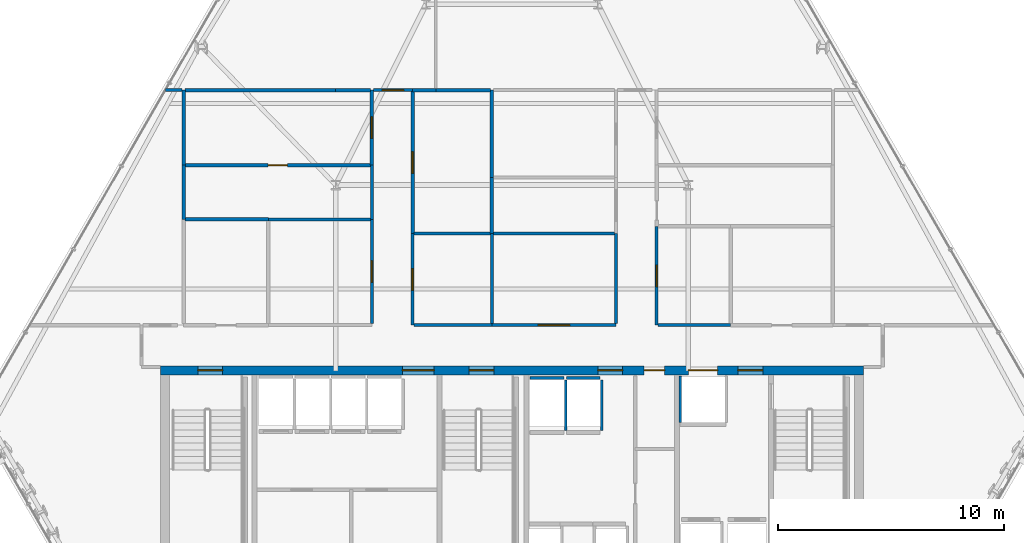
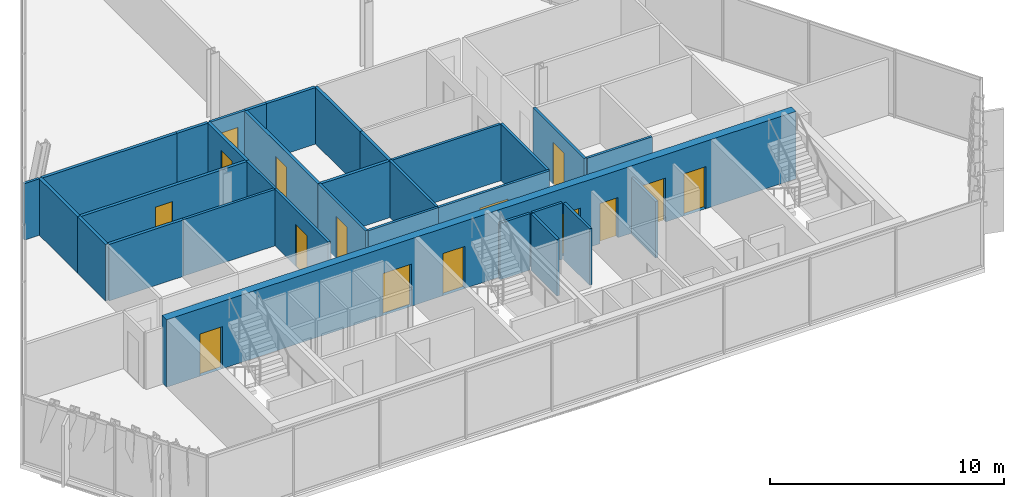
# One storey, part 28 of 34: 32 walls, 15 doors, 15 openings.
"""IFC4 building model written with IfcOpenShell, lengths in metres."""

import ifcopenshell
import ifcopenshell.guid

model = None  # the IFC model being written
_history = None  # IfcOwnerHistory: only IFC2X3 demands one
_inside = {}  # id of a spatial element -> (the spatial element, [elements in it])
_under = {}  # id of a project, library or spatial element -> (it, [spatial elements below it])
_declared = {}  # id of a project -> (the project, [libraries it declares])
_typed = {}  # id of a type object -> (the type object, [elements of that type])
_made_of = {}  # id of a material, layer set ... -> (it, [elements and type objects made of it])


def new_model(schema):
    """Start an empty IFC model of exactly this schema.

    Asked for "IFC4X3", IfcOpenShell would pick the latest addendum, in which some entities
    have other attributes; the version numbers below select the first issue.
    IFC2X3 requires an IfcOwnerHistory on every rooted entity: one is made here for all.
    """
    global model, _history
    if schema == "IFC4X3":
        model = ifcopenshell.file(schema_version=(4, 3, 0, 0))
    else:
        model = ifcopenshell.file(schema=schema)
    _inside.clear()
    _under.clear()
    _declared.clear()
    _typed.clear()
    _made_of.clear()
    _history = None
    if model.schema == "IFC2X3":
        org = make("IfcOrganization", Name="unknown")
        user = make(
            "IfcPersonAndOrganization",
            ThePerson=make("IfcPerson", FamilyName="unknown"),
            TheOrganization=org,
        )
        app = make(
            "IfcApplication",
            ApplicationDeveloper=org,
            Version="unknown",
            ApplicationFullName="unknown",
            ApplicationIdentifier="unknown",
        )
        _history = make(
            "IfcOwnerHistory",
            OwningUser=user,
            OwningApplication=app,
            ChangeAction="ADDED",
            CreationDate=0,
        )
    return model


def make(cls, **values):
    """One entity of the class cls with the attributes given. An attribute that is None is left unset."""
    return model.create_entity(
        cls, **{name: value for name, value in values.items() if value is not None}
    )


def rooted(cls, **values):
    """An entity with a GlobalId (a new one), such as an element, a storey or a relation."""
    return make(cls, GlobalId=ifcopenshell.guid.new(), OwnerHistory=_history, **values)


def si_unit(unit_type, name, prefix=None):
    """IfcSIUnit, for example si_unit("LENGTHUNIT", "METRE", prefix="MILLI")."""
    return make("IfcSIUnit", UnitType=unit_type, Prefix=prefix, Name=name)


def assignment(units):
    """IfcUnitAssignment: the units of a project."""
    return None if units is None else make("IfcUnitAssignment", Units=units)


def point(xyz):
    """IfcCartesianPoint."""
    return None if xyz is None else make("IfcCartesianPoint", Coordinates=xyz)


def direction(xyz):
    """IfcDirection."""
    return None if xyz is None else make("IfcDirection", DirectionRatios=xyz)


def frame(location, z_axis=None, x_axis=None):
    """IfcAxis2Placement3D, a coordinate frame: its origin and axes. An axis left out is left unset."""
    return make(
        "IfcAxis2Placement3D",
        Location=point(location),
        Axis=direction(z_axis),
        RefDirection=direction(x_axis),
    )


def frame_2d(location, x_axis=None):
    """IfcAxis2Placement2D, a coordinate frame in the plane: its origin and x axis."""
    return make(
        "IfcAxis2Placement2D", Location=point(location), RefDirection=direction(x_axis)
    )


def origin():
    """The frame at (0, 0, 0) with its axes left unset."""
    return frame((0.0, 0.0, 0.0))


def place(relative_to, where):
    """IfcLocalPlacement: puts the frame where relative to a parent placement (None: the world)."""
    return make(
        "IfcLocalPlacement", PlacementRelTo=relative_to, RelativePlacement=where
    )


def context(
    kind, dimensions, precision=None, world=None, true_north=None, identifier=None
):
    """IfcGeometricRepresentationContext, for example the 3D "Model" context."""
    return make(
        "IfcGeometricRepresentationContext",
        ContextIdentifier=identifier,
        ContextType=kind,
        CoordinateSpaceDimension=dimensions,
        Precision=precision,
        WorldCoordinateSystem=world,
        TrueNorth=true_north,
    )


def subcontext(parent, identifier, kind, view, scale=None):
    """IfcGeometricRepresentationSubContext, for example "Body" below "Model"."""
    return make(
        "IfcGeometricRepresentationSubContext",
        ContextIdentifier=identifier,
        ContextType=kind,
        ParentContext=parent,
        TargetScale=scale,
        TargetView=view,
    )


def project(units=None, contexts=None):
    """IfcProject with its units and contexts."""
    return rooted(
        "IfcProject",
        Name="project",
        RepresentationContexts=contexts,
        UnitsInContext=assignment(units),
    )


def spatial(cls, under=None, at=None, **own):
    """A site, building, storey or space (cls), placed at a placement, below another one or the project."""
    s = rooted(cls, ObjectPlacement=at, **own)
    if under is not None:
        _under.setdefault(under.id(), (under, []))[1].append(s)
    return s


def profile(cls, at=None, kind="AREA", **sizes):
    """A parametric profile (cls). Its sizes go by their IFC names, for example OverallWidth=200.0."""
    return make(cls, ProfileType=kind, Position=at, **sizes)


def rectangle(**sizes):
    """IfcRectangleProfileDef."""
    return profile("IfcRectangleProfileDef", **sizes)


def extrude(swept, where, along, depth):
    """IfcExtrudedAreaSolid: the profile swept, set in the frame where, extruded along a direction by depth."""
    return make(
        "IfcExtrudedAreaSolid",
        SweptArea=swept,
        Position=where,
        ExtrudedDirection=direction(along),
        Depth=depth,
    )


def shape(context_of_items, identifier, shape_type, items):
    """IfcShapeRepresentation: the items that make up one representation, for example the "Body"."""
    return make(
        "IfcShapeRepresentation",
        ContextOfItems=context_of_items,
        RepresentationIdentifier=identifier,
        RepresentationType=shape_type,
        Items=items,
    )


def material(Name=None, Category=None):
    """IfcMaterial."""
    return make("IfcMaterial", Name=Name, Category=Category)


def layer(
    of_material, thickness, ventilated=None, Name=None, Category=None, Priority=None
):
    """IfcMaterialLayer: one layer of a wall or slab, of a material (None: an air gap)."""
    return make(
        "IfcMaterialLayer",
        Material=of_material,
        LayerThickness=thickness,
        IsVentilated=ventilated,
        Name=Name,
        Category=Category,
        Priority=Priority,
    )


def layer_set(layers, Name=None):
    """IfcMaterialLayerSet."""
    return make("IfcMaterialLayerSet", MaterialLayers=layers, LayerSetName=Name)


def made_of(thing, what):
    """Note that an element or type object is made of a material, layer set ...; save() writes the relation."""
    if what is not None:
        _made_of.setdefault(what.id(), (what, []))[1].append(thing)
    return thing


def type_object(cls, material=None, **own):
    """A type object (cls), such as IfcWallType, which elements share."""
    return made_of(rooted(cls, **own), material)


def element(
    cls,
    number,
    at=None,
    inside=None,
    cuts=None,
    type_object=None,
    material=None,
    context=None,
    identifier="Body",
    shape_type=None,
    held_by="IfcProductDefinitionShape",
    body=None,
    shapes=None,
    **own,
):
    """One element of the class cls, such as IfcWall. Its Tag is "e" and its number.

    at: its placement. inside: the storey or other place that contains it. cuts: it is an
    opening in that element (IfcRelVoidsElement). A single representation is given by context,
    identifier, shape_type and body (its items); several are given by shapes. held_by: the class
    of the entity that holds the representations. save() writes the other relations.
    """
    e = rooted(cls, Tag="e%d" % number, ObjectPlacement=at, **own)
    if body is not None:
        shapes = [shape(context, identifier, shape_type, body)]
    if shapes is not None:
        e.Representation = make(held_by, Representations=shapes)
    if inside is not None:
        _inside.setdefault(inside.id(), (inside, []))[1].append(e)
    if cuts is not None:
        rooted(
            "IfcRelVoidsElement", RelatingBuildingElement=cuts, RelatedOpeningElement=e
        )
    if type_object is not None:
        _typed.setdefault(type_object.id(), (type_object, []))[1].append(e)
    return made_of(e, material)


def fill(opening, filler):
    """IfcRelFillsElement: the door or window that sits in an opening."""
    return rooted(
        "IfcRelFillsElement",
        RelatingOpeningElement=opening,
        RelatedBuildingElement=filler,
    )


def aggregate(whole, parts):
    """IfcRelAggregates: a whole, such as a stair, and the parts it consists of."""
    return rooted("IfcRelAggregates", RelatingObject=whole, RelatedObjects=parts)


def save(model, path):
    """Write the relations noted so far, then the file.

    IfcRelAggregates (storeys below a building ...), IfcRelContainedInSpatialStructure (elements
    in a storey), IfcRelDefinesByType, IfcRelAssociatesMaterial and IfcRelDeclares: one each for
    every whole, place, type object, material and project.
    """
    for whole, parts in _under.values():
        aggregate(whole, parts)
    for where, things in _inside.values():
        rooted(
            "IfcRelContainedInSpatialStructure",
            RelatedElements=things,
            RelatingStructure=where,
        )
    for kind, things in _typed.values():
        rooted("IfcRelDefinesByType", RelatedObjects=things, RelatingType=kind)
    for what, things in _made_of.values():
        rooted("IfcRelAssociatesMaterial", RelatedObjects=things, RelatingMaterial=what)
    for by, libraries in _declared.values():
        rooted("IfcRelDeclares", RelatingContext=by, RelatedDefinitions=libraries)
    model.write(path)


model = new_model("IFC4")

# Units and contexts
model_context = context("Model", 3, precision=1e-05, world=origin(), true_north=direction((0.0, 1.0)))
body_context = subcontext(model_context, "Body", "Model", "MODEL_VIEW")
ifc_project = project(units=[si_unit("LENGTHUNIT", "METRE"), si_unit("AREAUNIT", "SQUARE_METRE"), si_unit("VOLUMEUNIT", "CUBIC_METRE"), si_unit("PLANEANGLEUNIT", "RADIAN"), si_unit("MASSUNIT", "GRAM", prefix="KILO")], contexts=[model_context])

# Site, building, storey
site_placement = place(None, origin())
site = spatial("IfcSite", under=ifc_project, at=site_placement, CompositionType="ELEMENT")
building_placement = place(site_placement, origin())
building = spatial("IfcBuilding", under=site, at=building_placement, Name="Ndaravel Arena Tower", CompositionType="ELEMENT")
storey_placement = place(building_placement, frame((0.0, 0.0, 199.199951171875)))
storey = spatial("IfcBuildingStorey", under=building, at=storey_placement, Name="L48", CompositionType="ELEMENT", Elevation=199.199951171875)

# Wall, openings, doors
ifc_material_1 = material(Name="Concrete C50/60", Category="concrete")
ifc_layer_1 = layer(ifc_material_1, 0.39990234375)
ifc_layer_set_1 = layer_set([ifc_layer_1], Name="Concrete C50/60")
wall_type_1 = type_object("IfcWallType", Name="WALL-CORE-400", PredefinedType="SOLIDWALL", material=ifc_layer_set_1)
wall_1_placement = place(storey_placement, frame((26.449951171875, 15.0, 0.0), z_axis=(0.0, 0.0, 1.0), x_axis=(1.0, 0.0, 0.0)))
wall_1 = element("IfcWall", 1, at=wall_1_placement, inside=storey, type_object=wall_type_1, Name="L48 Core North Shear Wall", PredefinedType="SOLIDWALL", context=body_context, shape_type="SweptSolid", body=[
    extrude(rectangle(XDim=31.10009765625, YDim=0.39990234375, at=frame_2d((15.550048828125, 0.0))), origin(), (0.0, 0.0, 1.0), 3.52001953125),
])
opening_1_placement = place(wall_1_placement, frame((1.64990234375, 0.0, 0.0)))
opening_1 = element("IfcOpeningElement", 2, at=opening_1_placement, cuts=wall_1, Name="Opening FD-01", PredefinedType="OPENING", context=body_context, shape_type="SweptSolid", body=[
    extrude(rectangle(XDim=1.10009765625, YDim=2.199951171875, at=frame_2d((0.550048828125, 1.10009765625))), frame((0.0, 0.199951171875, 0.0), z_axis=(0.0, -1.0, 0.0), x_axis=(1.0, 0.0, 0.0)), (0.0, 0.0, 1.0), 0.39990234375),
])
opening_2_placement = place(wall_1_placement, frame((13.64990234375, 0.0, 0.0)))
opening_2 = element("IfcOpeningElement", 3, at=opening_2_placement, cuts=wall_1, Name="Opening FD-01", PredefinedType="OPENING", context=body_context, shape_type="SweptSolid", body=[
    extrude(rectangle(XDim=1.10009765625, YDim=2.199951171875, at=frame_2d((0.550048828125, 1.10009765625))), frame((0.0, 0.199951171875, 0.0), z_axis=(0.0, -1.0, 0.0), x_axis=(1.0, 0.0, 0.0)), (0.0, 0.0, 1.0), 0.39990234375),
])
opening_3_placement = place(wall_1_placement, frame((25.550048828125, 0.0, 0.0)))
opening_3 = element("IfcOpeningElement", 4, at=opening_3_placement, cuts=wall_1, Name="Opening FD-01", PredefinedType="OPENING", context=body_context, shape_type="SweptSolid", body=[
    extrude(rectangle(XDim=1.10009765625, YDim=2.199951171875, at=frame_2d((0.550048828125, 1.10009765625))), frame((0.0, 0.199951171875, 0.0), z_axis=(0.0, -1.0, 0.0), x_axis=(1.0, 0.0, 0.0)), (0.0, 0.0, 1.0), 0.39990234375),
])
opening_4_placement = place(wall_1_placement, frame((10.699951171875, 0.0, 0.0)))
opening_4 = element("IfcOpeningElement", 5, at=opening_4_placement, cuts=wall_1, Name="Opening ID-02", PredefinedType="OPENING", context=body_context, shape_type="SweptSolid", body=[
    extrude(rectangle(XDim=1.39990234375, YDim=2.199951171875, at=frame_2d((0.699951171875, 1.10009765625))), frame((0.0, 0.199951171875, 0.0), z_axis=(0.0, -1.0, 0.0), x_axis=(1.0, 0.0, 0.0)), (0.0, 0.0, 1.0), 0.39990234375),
])
opening_5_placement = place(wall_1_placement, frame((19.35009765625, 0.0, 0.0)))
opening_5 = element("IfcOpeningElement", 6, at=opening_5_placement, cuts=wall_1, Name="Opening FD-01", PredefinedType="OPENING", context=body_context, shape_type="SweptSolid", body=[
    extrude(rectangle(XDim=1.10009765625, YDim=2.199951171875, at=frame_2d((0.550048828125, 1.10009765625))), frame((0.0, 0.199951171875, 0.0), z_axis=(0.0, -1.0, 0.0), x_axis=(1.0, 0.0, 0.0)), (0.0, 0.0, 1.0), 0.39990234375),
])
opening_6_placement = place(wall_1_placement, frame((21.39990234375, 0.0, 0.0)))
opening_6 = element("IfcOpeningElement", 7, at=opening_6_placement, cuts=wall_1, Name="Opening RD-01", PredefinedType="OPENING", context=body_context, shape_type="SweptSolid", body=[
    extrude(rectangle(XDim=0.89990234375, YDim=2.10009765625, at=frame_2d((0.449951171875, 1.050048828125))), frame((0.0, 0.199951171875, 0.0), z_axis=(0.0, -1.0, 0.0), x_axis=(1.0, 0.0, 0.0)), (0.0, 0.0, 1.0), 0.39990234375),
])
opening_7_placement = place(wall_1_placement, frame((23.35009765625, 0.0, 0.0)))
opening_7 = element("IfcOpeningElement", 8, at=opening_7_placement, cuts=wall_1, Name="Opening LD-02", PredefinedType="OPENING", context=body_context, shape_type="SweptSolid", body=[
    extrude(rectangle(XDim=1.300048828125, YDim=2.300048828125, at=frame_2d((0.64990234375, 1.14990234375))), frame((0.0, 0.199951171875, 0.0), z_axis=(0.0, -1.0, 0.0), x_axis=(1.0, 0.0, 0.0)), (0.0, 0.0, 1.0), 0.39990234375),
])
ifc_material_2 = material(Name="Steel S355", Category="steel")
door_type_1 = type_object("IfcDoorType", Name="DT-01-STAIR-1100", OperationType="SINGLE_SWING_LEFT", PredefinedType="DOOR", material=ifc_material_2)
door_1_placement = place(opening_1_placement, origin())
door_1 = element("IfcDoor", 9, at=door_1_placement, inside=storey, type_object=door_type_1, Name="L48 Exit Stair ST-1 Door", OperationType="SINGLE_SWING_LEFT", OverallHeight=2.199951171875, OverallWidth=1.10009765625, PredefinedType="DOOR", context=body_context, shape_type="SweptSolid", body=[
    extrude(rectangle(XDim=1.10009765625, YDim=2.199951171875, at=frame_2d((0.550048828125, 1.10009765625))), frame((0.0, 0.02490234375, 0.0), z_axis=(0.0, -1.0, 0.0), x_axis=(1.0, 0.0, 0.0)), (0.0, 0.0, 1.0), 0.050048828125),
])
fill(opening_1, door_1)
door_2_placement = place(opening_2_placement, origin())
door_2 = element("IfcDoor", 10, at=door_2_placement, inside=storey, type_object=door_type_1, Name="L48 Exit Stair ST-2 Door", OperationType="SINGLE_SWING_RIGHT", OverallHeight=2.199951171875, OverallWidth=1.10009765625, PredefinedType="DOOR", context=body_context, shape_type="SweptSolid", body=[
    extrude(rectangle(XDim=1.10009765625, YDim=2.199951171875, at=frame_2d((0.550048828125, 1.10009765625))), frame((0.0, 0.02490234375, 0.0), z_axis=(0.0, -1.0, 0.0), x_axis=(1.0, 0.0, 0.0)), (0.0, 0.0, 1.0), 0.050048828125),
])
fill(opening_2, door_2)
door_3_placement = place(opening_3_placement, origin())
door_3 = element("IfcDoor", 11, at=door_3_placement, inside=storey, type_object=door_type_1, Name="L48 Firefighting Lift Lobby Door", OperationType="SINGLE_SWING_RIGHT", OverallHeight=2.199951171875, OverallWidth=1.10009765625, PredefinedType="DOOR", context=body_context, shape_type="SweptSolid", body=[
    extrude(rectangle(XDim=1.10009765625, YDim=2.199951171875, at=frame_2d((0.550048828125, 1.10009765625))), frame((0.0, 0.02490234375, 0.0), z_axis=(0.0, -1.0, 0.0), x_axis=(1.0, 0.0, 0.0)), (0.0, 0.0, 1.0), 0.050048828125),
])
fill(opening_3, door_3)
door_4_placement = place(opening_5_placement, origin())
door_4 = element("IfcDoor", 12, at=door_4_placement, inside=storey, type_object=door_type_1, Name="L48 Express Lift Lobby Entry Door", OperationType="SINGLE_SWING_LEFT", OverallHeight=2.199951171875, OverallWidth=1.10009765625, PredefinedType="DOOR", context=body_context, shape_type="SweptSolid", body=[
    extrude(rectangle(XDim=1.10009765625, YDim=2.199951171875, at=frame_2d((0.550048828125, 1.10009765625))), frame((0.0, 0.02490234375, 0.0), z_axis=(0.0, -1.0, 0.0), x_axis=(1.0, 0.0, 0.0)), (0.0, 0.0, 1.0), 0.050048828125),
])
fill(opening_5, door_4)
ifc_material_3 = material(Name="Timber", Category="wood")
door_type_2 = type_object("IfcDoorType", Name="DT-04-SUITE-1400", OperationType="DOUBLE_DOOR_SINGLE_SWING", PredefinedType="DOOR", material=ifc_material_3)
door_5_placement = place(opening_4_placement, origin())
door_5 = element("IfcDoor", 13, at=door_5_placement, inside=storey, type_object=door_type_2, Name="L48 West Lift Lobby Entry Door", OperationType="DOUBLE_DOOR_SINGLE_SWING", OverallHeight=2.199951171875, OverallWidth=1.39990234375, PredefinedType="DOOR", context=body_context, shape_type="SweptSolid", body=[
    extrude(rectangle(XDim=1.39990234375, YDim=2.199951171875, at=frame_2d((0.699951171875, 1.10009765625))), frame((0.0, 0.02490234375, 0.0), z_axis=(0.0, -1.0, 0.0), x_axis=(1.0, 0.0, 0.0)), (0.0, 0.0, 1.0), 0.050048828125),
])
fill(opening_4, door_5)
ifc_material_4 = material(Name="Steel S355", Category="steel")
door_type_3 = type_object("IfcDoorType", Name="DT-07-SVLIFT-1300", OperationType="DOUBLE_DOOR_SLIDING", PredefinedType="DOOR", material=ifc_material_4)
door_6_placement = place(opening_7_placement, origin())
door_6 = element("IfcDoor", 14, at=door_6_placement, inside=storey, type_object=door_type_3, Name="L48 Lift SVL-1 Sliding Landing Door", OperationType="DOUBLE_DOOR_SLIDING", OverallHeight=2.300048828125, OverallWidth=1.300048828125, PredefinedType="DOOR", context=body_context, shape_type="SweptSolid", body=[
    extrude(rectangle(XDim=1.300048828125, YDim=2.300048828125, at=frame_2d((0.64990234375, 1.14990234375))), frame((0.0, 0.02490234375, 0.0), z_axis=(0.0, -1.0, 0.0), x_axis=(1.0, 0.0, 0.0)), (0.0, 0.0, 1.0), 0.050048828125),
])
fill(opening_7, door_6)
ifc_material_5 = material(Name="Steel S355", Category="steel")
door_type_4 = type_object("IfcDoorType", Name="DT-08-RISER-900", OperationType="SINGLE_SWING_LEFT", PredefinedType="DOOR", material=ifc_material_5)
door_7_placement = place(opening_6_placement, origin())
door_7 = element("IfcDoor", 15, at=door_7_placement, inside=storey, type_object=door_type_4, Name="L48 Core Service Riser North Door", OperationType="SINGLE_SWING_LEFT", OverallHeight=2.10009765625, OverallWidth=0.89990234375, PredefinedType="DOOR", context=body_context, shape_type="SweptSolid", body=[
    extrude(rectangle(XDim=0.89990234375, YDim=2.10009765625, at=frame_2d((0.449951171875, 1.050048828125))), frame((0.0, 0.02490234375, 0.0), z_axis=(0.0, -1.0, 0.0), x_axis=(1.0, 0.0, 0.0)), (0.0, 0.0, 1.0), 0.050048828125),
])
fill(opening_6, door_7)

# Wall, opening, door
ifc_material_6 = material(Name="Gypsum", Category="gypsum")
ifc_layer_2 = layer(ifc_material_6, 0.125)
ifc_layer_set_2 = layer_set([ifc_layer_2], Name="Gypsum")
wall_type_2 = type_object("IfcWallType", Name="WALL-PART-125", PredefinedType="PARTITIONING", material=ifc_layer_set_2)
wall_2_placement = place(storey_placement, frame((35.800048828125, 17.06494140625, 0.0), z_axis=(0.0, 0.0, 1.0), x_axis=(0.0, 1.0, 0.0)))
wall_2 = element("IfcWall", 16, at=wall_2_placement, inside=storey, type_object=wall_type_2, Name="L48 Interior Partition 008", PredefinedType="PARTITIONING", context=body_context, shape_type="SweptSolid", body=[
    extrude(rectangle(XDim=4.614990234375, YDim=0.125, at=frame_2d((2.3076171875, 0.0))), origin(), (0.0, 0.0, 1.0), 2.950439453125),
])
opening_8_placement = place(wall_2_placement, frame((1.83251953125, 0.0, 0.0)))
opening_8 = element("IfcOpeningElement", 17, at=opening_8_placement, cuts=wall_2, Name="Opening ID-01", PredefinedType="OPENING", context=body_context, shape_type="SweptSolid", body=[
    extrude(rectangle(XDim=0.949951171875, YDim=2.199951171875, at=frame_2d((0.47509765625, 1.10009765625))), frame((0.0, 0.0625, 0.0), z_axis=(0.0, -1.0, 0.0), x_axis=(1.0, 0.0, 0.0)), (0.0, 0.0, 1.0), 0.125),
])
ifc_material_7 = material(Name="Timber", Category="wood")
door_type_5 = type_object("IfcDoorType", Name="DT-03-OFFICE-950", OperationType="SINGLE_SWING_LEFT", PredefinedType="DOOR", material=ifc_material_7)
door_8_placement = place(opening_8_placement, origin())
door_8 = element("IfcDoor", 18, at=door_8_placement, inside=storey, type_object=door_type_5, Name="L48 Quiet Study Room 3 Door", OperationType="SINGLE_SWING_RIGHT", OverallHeight=2.199951171875, OverallWidth=0.949951171875, PredefinedType="DOOR", context=body_context, shape_type="SweptSolid", body=[
    extrude(rectangle(XDim=0.949951171875, YDim=2.199951171875, at=frame_2d((0.47509765625, 1.10009765625))), frame((0.0, 0.02490234375, 0.0), z_axis=(0.0, -1.0, 0.0), x_axis=(1.0, 0.0, 0.0)), (0.0, 0.0, 1.0), 0.050048828125),
])
fill(opening_8, door_8)

# Wall
wall_3_placement = place(storey_placement, frame((35.800048828125, 21.679931640625, 0.0), z_axis=(0.0, 0.0, 1.0), x_axis=(0.0, 1.0, 0.0)))
element("IfcWall", 19, at=wall_3_placement, inside=storey, type_object=wall_type_2, Name="L48 Interior Partition 009", PredefinedType="PARTITIONING", context=body_context, shape_type="SweptSolid", body=[
    extrude(rectangle(XDim=2.402587890625, YDim=0.125, at=frame_2d((1.201171875, 0.0))), origin(), (0.0, 0.0, 1.0), 2.950439453125),
])

# Wall, opening, door
wall_4_placement = place(storey_placement, frame((35.864990234375, 27.39990234375, 0.0), z_axis=(0.0, 0.0, 1.0), x_axis=(1.0, 0.0, 0.0)))
wall_4 = element("IfcWall", 20, at=wall_4_placement, inside=storey, type_object=wall_type_2, Name="L48 Interior Partition 011", PredefinedType="PARTITIONING", context=body_context, shape_type="SweptSolid", body=[
    extrude(rectangle(XDim=1.735107421875, YDim=0.125, at=frame_2d((0.86767578125, 0.0))), origin(), (0.0, 0.0, 1.0), 2.950439453125),
])
opening_9_placement = place(wall_4_placement, frame((0.392578125, 0.0, 0.0)))
opening_9 = element("IfcOpeningElement", 21, at=opening_9_placement, cuts=wall_4, Name="Opening ID-01", PredefinedType="OPENING", context=body_context, shape_type="SweptSolid", body=[
    extrude(rectangle(XDim=0.949951171875, YDim=2.199951171875, at=frame_2d((0.47509765625, 1.10009765625))), frame((0.0, 0.0625, 0.0), z_axis=(0.0, -1.0, 0.0), x_axis=(1.0, 0.0, 0.0)), (0.0, 0.0, 1.0), 0.125),
])
door_9_placement = place(opening_9_placement, origin())
door_9 = element("IfcDoor", 22, at=door_9_placement, inside=storey, type_object=door_type_5, Name="L48 Barista Galley 7 Door", OperationType="SINGLE_SWING_RIGHT", OverallHeight=2.199951171875, OverallWidth=0.949951171875, PredefinedType="DOOR", context=body_context, shape_type="SweptSolid", body=[
    extrude(rectangle(XDim=0.949951171875, YDim=2.199951171875, at=frame_2d((0.47509765625, 1.10009765625))), frame((0.0, 0.02490234375, 0.0), z_axis=(0.0, -1.0, 0.0), x_axis=(1.0, 0.0, 0.0)), (0.0, 0.0, 1.0), 0.050048828125),
])
fill(opening_9, door_9)

wall_5_placement = place(storey_placement, frame((37.60009765625, 21.055908203125, 0.0), z_axis=(0.0, 0.0, 1.0), x_axis=(0.0, -1.0, 0.0)))
wall_5 = element("IfcWall", 23, at=wall_5_placement, inside=storey, type_object=wall_type_2, Name="L48 Interior Partition 013", PredefinedType="PARTITIONING", context=body_context, shape_type="SweptSolid", body=[
    extrude(rectangle(XDim=4.055908203125, YDim=0.125, at=frame_2d((2.02783203125, 0.0))), origin(), (0.0, 0.0, 1.0), 2.950439453125),
])
opening_10_placement = place(wall_5_placement, frame((1.552978515625, 0.0, 0.0)))
opening_10 = element("IfcOpeningElement", 24, at=opening_10_placement, cuts=wall_5, Name="Opening ID-01", PredefinedType="OPENING", context=body_context, shape_type="SweptSolid", body=[
    extrude(rectangle(XDim=0.949951171875, YDim=2.199951171875, at=frame_2d((0.47509765625, 1.10009765625))), frame((0.0, 0.0625, 0.0), z_axis=(0.0, -1.0, 0.0), x_axis=(1.0, 0.0, 0.0)), (0.0, 0.0, 1.0), 0.125),
])
door_10_placement = place(opening_10_placement, origin())
door_10 = element("IfcDoor", 25, at=door_10_placement, inside=storey, type_object=door_type_5, Name="L48 Design Bookshop Boutique Door", OperationType="SINGLE_SWING_LEFT", OverallHeight=2.199951171875, OverallWidth=0.949951171875, PredefinedType="DOOR", context=body_context, shape_type="SweptSolid", body=[
    extrude(rectangle(XDim=0.949951171875, YDim=2.199951171875, at=frame_2d((0.47509765625, 1.10009765625))), frame((0.0, 0.02490234375, 0.0), z_axis=(0.0, -1.0, 0.0), x_axis=(1.0, 0.0, 0.0)), (0.0, 0.0, 1.0), 0.050048828125),
])
fill(opening_10, door_10)

# Wall
wall_6_placement = place(storey_placement, frame((37.6650390625, 17.0, 0.0), z_axis=(0.0, 0.0, 1.0), x_axis=(1.0, 0.0, 0.0)))
element("IfcWall", 26, at=wall_6_placement, inside=storey, type_object=wall_type_2, Name="L48 Interior Partition 014", PredefinedType="PARTITIONING", context=body_context, shape_type="SweptSolid", body=[
    extrude(rectangle(XDim=3.445068359375, YDim=0.125, at=frame_2d((1.72265625, 0.0))), origin(), (0.0, 0.0, 1.0), 2.950439453125),
])

# Wall, opening, door
wall_7_placement = place(storey_placement, frame((41.110107421875, 17.0, 0.0), z_axis=(0.0, 0.0, 1.0), x_axis=(1.0, 0.0, 0.0)))
wall_7 = element("IfcWall", 27, at=wall_7_placement, inside=storey, type_object=wall_type_2, Name="L48 Interior Partition 015", PredefinedType="PARTITIONING", context=body_context, shape_type="SweptSolid", body=[
    extrude(rectangle(XDim=5.489990234375, YDim=0.125, at=frame_2d((2.7451171875, 0.0))), origin(), (0.0, 0.0, 1.0), 2.950439453125),
])
opening_11_placement = place(wall_7_placement, frame((2.044921875, 0.0, 0.0)))
opening_11 = element("IfcOpeningElement", 28, at=opening_11_placement, cuts=wall_7, Name="Opening ID-02", PredefinedType="OPENING", context=body_context, shape_type="SweptSolid", body=[
    extrude(rectangle(XDim=1.39990234375, YDim=2.199951171875, at=frame_2d((0.699951171875, 1.10009765625))), frame((0.0, 0.0625, 0.0), z_axis=(0.0, -1.0, 0.0), x_axis=(1.0, 0.0, 0.0)), (0.0, 0.0, 1.0), 0.125),
])
door_11_placement = place(opening_11_placement, origin())
door_11 = element("IfcDoor", 29, at=door_11_placement, inside=storey, type_object=door_type_2, Name="L48 Executive Boardroom Door", OperationType="SINGLE_SWING_RIGHT", OverallHeight=2.199951171875, OverallWidth=1.39990234375, PredefinedType="DOOR", context=body_context, shape_type="SweptSolid", body=[
    extrude(rectangle(XDim=1.39990234375, YDim=2.199951171875, at=frame_2d((0.699951171875, 1.10009765625))), frame((0.0, 0.02490234375, 0.0), z_axis=(0.0, -1.0, 0.0), x_axis=(1.0, 0.0, 0.0)), (0.0, 0.0, 1.0), 0.050048828125),
])
fill(opening_11, door_11)

# Wall
wall_8_placement = place(storey_placement, frame((46.60009765625, 17.06494140625, 0.0), z_axis=(0.0, 0.0, 1.0), x_axis=(0.0, 1.0, 0.0)))
element("IfcWall", 30, at=wall_8_placement, inside=storey, type_object=wall_type_2, Name="L48 Interior Partition 016", PredefinedType="PARTITIONING", context=body_context, shape_type="SweptSolid", body=[
    extrude(rectangle(XDim=3.990966796875, YDim=0.125, at=frame_2d((1.99560546875, 0.0))), origin(), (0.0, 0.0, 1.0), 2.950439453125),
])

# Wall, opening, door
wall_9_placement = place(storey_placement, frame((48.39990234375, 21.367919921875, 0.0), z_axis=(0.0, 0.0, 1.0), x_axis=(0.0, -1.0, 0.0)))
wall_9 = element("IfcWall", 31, at=wall_9_placement, inside=storey, type_object=wall_type_2, Name="L48 Interior Partition 022", PredefinedType="PARTITIONING", context=body_context, shape_type="SweptSolid", body=[
    extrude(rectangle(XDim=4.367919921875, YDim=0.125, at=frame_2d((2.18408203125, 0.0))), origin(), (0.0, 0.0, 1.0), 2.950439453125),
])
opening_12_placement = place(wall_9_placement, frame((1.708984375, 0.0, 0.0)))
opening_12 = element("IfcOpeningElement", 32, at=opening_12_placement, cuts=wall_9, Name="Opening ID-01", PredefinedType="OPENING", context=body_context, shape_type="SweptSolid", body=[
    extrude(rectangle(XDim=0.949951171875, YDim=2.199951171875, at=frame_2d((0.47509765625, 1.10009765625))), frame((0.0, 0.0625, 0.0), z_axis=(0.0, -1.0, 0.0), x_axis=(1.0, 0.0, 0.0)), (0.0, 0.0, 1.0), 0.125),
])
door_12_placement = place(opening_12_placement, origin())
door_12 = element("IfcDoor", 33, at=door_12_placement, inside=storey, type_object=door_type_5, Name="L48 Hospitality Sitting Room 2 Door", OperationType="SINGLE_SWING_LEFT", OverallHeight=2.199951171875, OverallWidth=0.949951171875, PredefinedType="DOOR", context=body_context, shape_type="SweptSolid", body=[
    extrude(rectangle(XDim=0.949951171875, YDim=2.199951171875, at=frame_2d((0.47509765625, 1.10009765625))), frame((0.0, 0.02490234375, 0.0), z_axis=(0.0, -1.0, 0.0), x_axis=(1.0, 0.0, 0.0)), (0.0, 0.0, 1.0), 0.050048828125),
])
fill(opening_12, door_12)

# Walls
wall_10_placement = place(storey_placement, frame((48.465087890625, 17.0, 0.0), z_axis=(0.0, 0.0, 1.0), x_axis=(1.0, 0.0, 0.0)))
element("IfcWall", 34, at=wall_10_placement, inside=storey, type_object=wall_type_2, Name="L48 Interior Partition 023", PredefinedType="PARTITIONING", context=body_context, shape_type="SweptSolid", body=[
    extrude(rectangle(XDim=3.2109375, YDim=0.125, at=frame_2d((1.60546875, 0.0))), origin(), (0.0, 0.0, 1.0), 2.950439453125),
])
wall_11_placement = place(storey_placement, frame((41.110107421875, 21.055908203125, 0.0), z_axis=(0.0, 0.0, 1.0), x_axis=(0.0, -1.0, 0.0)))
element("IfcWall", 35, at=wall_11_placement, inside=storey, type_object=wall_type_2, Name="L48 Interior Partition 028", PredefinedType="PARTITIONING", context=body_context, shape_type="SweptSolid", body=[
    extrude(rectangle(XDim=3.990966796875, YDim=0.125, at=frame_2d((1.99560546875, 0.0))), origin(), (0.0, 0.0, 1.0), 2.950439453125),
])
wall_12_placement = place(storey_placement, frame((41.175048828125, 21.055908203125, 0.0), z_axis=(0.0, 0.0, 1.0), x_axis=(1.0, 0.0, 0.0)))
element("IfcWall", 36, at=wall_12_placement, inside=storey, type_object=wall_type_2, Name="L48 Interior Partition 030", PredefinedType="PARTITIONING", context=body_context, shape_type="SweptSolid", body=[
    extrude(rectangle(XDim=5.35986328125, YDim=0.125, at=frame_2d((2.679931640625, 0.0))), origin(), (0.0, 0.0, 1.0), 2.950439453125),
])
wall_13_placement = place(storey_placement, frame((31.220458984375, 21.679931640625, 0.0), z_axis=(0.0, 0.0, 1.0), x_axis=(1.0, 0.0, 0.0)))
element("IfcWall", 37, at=wall_13_placement, inside=storey, type_object=wall_type_2, Name="L48 Interior Partition 038", PredefinedType="PARTITIONING", context=body_context, shape_type="SweptSolid", body=[
    extrude(rectangle(XDim=4.5146484375, YDim=0.125, at=frame_2d((2.25732421875, 0.0))), origin(), (0.0, 0.0, 1.0), 2.950439453125),
])
wall_14_placement = place(storey_placement, frame((27.40869140625, 27.39990234375, 0.0), z_axis=(0.0, 0.0, 1.0), x_axis=(-1.0, 0.0, 0.0)))
element("IfcWall", 38, at=wall_14_placement, inside=storey, type_object=wall_type_2, Name="L48 Interior Partition 055", PredefinedType="PARTITIONING", context=body_context, shape_type="SweptSolid", body=[
    extrude(rectangle(XDim=0.7431640625, YDim=0.125, at=frame_2d((0.37158203125, 0.0))), origin(), (0.0, 0.0, 1.0), 2.950439453125),
])
ifc_material_8 = material(Name="Concrete C40/50", Category="concrete")
ifc_layer_3 = layer(ifc_material_8, 0.1201171875)
ifc_layer_set_3 = layer_set([ifc_layer_3], Name="Concrete C40/50")
wall_type_3 = type_object("IfcWallType", Name="WALL-SHAFT-120", PredefinedType="SOLIDWALL", material=ifc_layer_set_3)
wall_15_placement = place(storey_placement, frame((42.804931640625, 14.659912109375, 0.0), z_axis=(0.0, 0.0, 1.0), x_axis=(1.0, 0.0, 0.0)))
element("IfcWall", 39, at=wall_15_placement, inside=storey, type_object=wall_type_3, Name="L48 PL-OBS1 Shaft Rear Wall", PredefinedType="SOLIDWALL", context=body_context, shape_type="SweptSolid", body=[
    extrude(rectangle(XDim=1.489990234375, YDim=0.1201171875, at=frame_2d((0.7451171875, 0.0))), origin(), (0.0, 0.0, 1.0), 2.950439453125),
])
wall_16_placement = place(storey_placement, frame((44.375, 12.340087890625, 0.0), z_axis=(0.0, 0.0, 1.0), x_axis=(0.0, 1.0, 0.0)))
element("IfcWall", 40, at=wall_16_placement, inside=storey, type_object=wall_type_3, Name="L48 PL-OBS1 Shaft Side R Wall", PredefinedType="SOLIDWALL", context=body_context, shape_type="SweptSolid", body=[
    extrude(rectangle(XDim=2.22998046875, YDim=0.1201171875, at=frame_2d((1.114990234375, 0.0))), origin(), (0.0, 0.0, 1.0), 2.950439453125),
])
wall_17_placement = place(storey_placement, frame((44.405029296875, 14.659912109375, 0.0), z_axis=(0.0, 0.0, 1.0), x_axis=(1.0, 0.0, 0.0)))
element("IfcWall", 41, at=wall_17_placement, inside=storey, type_object=wall_type_3, Name="L48 PL-OBS2 Shaft Rear Wall", PredefinedType="SOLIDWALL", context=body_context, shape_type="SweptSolid", body=[
    extrude(rectangle(XDim=1.489990234375, YDim=0.1201171875, at=frame_2d((0.7451171875, 0.0))), origin(), (0.0, 0.0, 1.0), 2.950439453125),
])
wall_18_placement = place(storey_placement, frame((45.97509765625, 12.340087890625, 0.0), z_axis=(0.0, 0.0, 1.0), x_axis=(0.0, 1.0, 0.0)))
element("IfcWall", 42, at=wall_18_placement, inside=storey, type_object=wall_type_3, Name="L48 PL-OBS2 Shaft Side R Wall", PredefinedType="SOLIDWALL", context=body_context, shape_type="SweptSolid", body=[
    extrude(rectangle(XDim=2.22998046875, YDim=0.1201171875, at=frame_2d((1.114990234375, 0.0))), origin(), (0.0, 0.0, 1.0), 2.950439453125),
])
wall_19_placement = place(storey_placement, frame((49.43994140625, 12.68994140625, 0.0), z_axis=(0.0, 0.0, 1.0), x_axis=(0.0, 1.0, 0.0)))
element("IfcWall", 43, at=wall_19_placement, inside=storey, type_object=wall_type_3, Name="L48 SVL-1 Shaft W Wall", PredefinedType="SOLIDWALL", context=body_context, shape_type="SweptSolid", body=[
    extrude(rectangle(XDim=2.070068359375, YDim=0.1201171875, at=frame_2d((1.03515625, 0.0))), origin(), (0.0, 0.0, 1.0), 2.950439453125),
])

# Wall, opening, door
ifc_material_9 = material(Name="Masonry", Category="masonry")
ifc_layer_4 = layer(ifc_material_9, 0.14990234375)
ifc_layer_set_4 = layer_set([ifc_layer_4], Name="Masonry")
wall_type_4 = type_object("IfcWallType", Name="WALL-WET-150", PredefinedType="PARTITIONING", material=ifc_layer_set_4)
wall_20_placement = place(storey_placement, frame((35.800048828125, 24.08251953125, 0.0), z_axis=(0.0, 0.0, 1.0), x_axis=(0.0, 1.0, 0.0)))
wall_20 = element("IfcWall", 44, at=wall_20_placement, inside=storey, type_object=wall_type_4, Name="L48 Interior Partition 010", PredefinedType="PARTITIONING", context=body_context, shape_type="SweptSolid", body=[
    extrude(rectangle(XDim=3.3173828125, YDim=0.14990234375, at=frame_2d((1.65869140625, 0.0))), origin(), (0.0, 0.0, 1.0), 2.950439453125),
])
opening_13_placement = place(wall_20_placement, frame((1.183837890625, 0.0, 0.0)))
opening_13 = element("IfcOpeningElement", 45, at=opening_13_placement, cuts=wall_20, Name="Opening FD-03", PredefinedType="OPENING", context=body_context, shape_type="SweptSolid", body=[
    extrude(rectangle(XDim=0.949951171875, YDim=2.199951171875, at=frame_2d((0.47509765625, 1.10009765625))), frame((0.0, 0.074951171875, 0.0), z_axis=(0.0, -1.0, 0.0), x_axis=(1.0, 0.0, 0.0)), (0.0, 0.0, 1.0), 0.14990234375),
])
ifc_material_10 = material(Name="Steel S355", Category="steel")
door_type_6 = type_object("IfcDoorType", Name="DT-11-CORE-950", OperationType="SINGLE_SWING_LEFT", PredefinedType="DOOR", material=ifc_material_10)
door_13_placement = place(opening_13_placement, origin())
door_13 = element("IfcDoor", 46, at=door_13_placement, inside=storey, type_object=door_type_6, Name="L48 Catering Pantry 6 Door", OperationType="SINGLE_SWING_RIGHT", OverallHeight=2.199951171875, OverallWidth=0.949951171875, PredefinedType="DOOR", context=body_context, shape_type="SweptSolid", body=[
    extrude(rectangle(XDim=0.949951171875, YDim=2.199951171875, at=frame_2d((0.47509765625, 1.10009765625))), frame((0.0, 0.02490234375, 0.0), z_axis=(0.0, -1.0, 0.0), x_axis=(1.0, 0.0, 0.0)), (0.0, 0.0, 1.0), 0.050048828125),
])
fill(opening_13, door_13)

wall_21_placement = place(storey_placement, frame((37.60009765625, 27.3349609375, 0.0), z_axis=(0.0, 0.0, 1.0), x_axis=(0.0, -1.0, 0.0)))
wall_21 = element("IfcWall", 47, at=wall_21_placement, inside=storey, type_object=wall_type_4, Name="L48 Interior Partition 012", PredefinedType="PARTITIONING", context=body_context, shape_type="SweptSolid", body=[
    extrude(rectangle(XDim=6.279052734375, YDim=0.14990234375, at=frame_2d((3.1396484375, 0.0))), origin(), (0.0, 0.0, 1.0), 2.950439453125),
])
opening_14_placement = place(wall_21_placement, frame((2.66455078125, 0.0, 0.0)))
opening_14 = element("IfcOpeningElement", 48, at=opening_14_placement, cuts=wall_21, Name="Opening FD-03", PredefinedType="OPENING", context=body_context, shape_type="SweptSolid", body=[
    extrude(rectangle(XDim=0.949951171875, YDim=2.199951171875, at=frame_2d((0.47509765625, 1.10009765625))), frame((0.0, 0.074951171875, 0.0), z_axis=(0.0, -1.0, 0.0), x_axis=(1.0, 0.0, 0.0)), (0.0, 0.0, 1.0), 0.14990234375),
])
door_14_placement = place(opening_14_placement, origin())
door_14 = element("IfcDoor", 49, at=door_14_placement, inside=storey, type_object=door_type_6, Name="L48 Staff Espresso Kitchen 5 Door", OperationType="SINGLE_SWING_RIGHT", OverallHeight=2.199951171875, OverallWidth=0.949951171875, PredefinedType="DOOR", context=body_context, shape_type="SweptSolid", body=[
    extrude(rectangle(XDim=0.949951171875, YDim=2.199951171875, at=frame_2d((0.47509765625, 1.10009765625))), frame((0.0, 0.02490234375, 0.0), z_axis=(0.0, -1.0, 0.0), x_axis=(1.0, 0.0, 0.0)), (0.0, 0.0, 1.0), 0.050048828125),
])
fill(opening_14, door_14)

# Walls
wall_22_placement = place(storey_placement, frame((37.6650390625, 21.055908203125, 0.0), z_axis=(0.0, 0.0, 1.0), x_axis=(1.0, 0.0, 0.0)))
element("IfcWall", 50, at=wall_22_placement, inside=storey, type_object=wall_type_4, Name="L48 Interior Partition 029", PredefinedType="PARTITIONING", context=body_context, shape_type="SweptSolid", body=[
    extrude(rectangle(XDim=3.3798828125, YDim=0.14990234375, at=frame_2d((1.68994140625, 0.0))), origin(), (0.0, 0.0, 1.0), 2.950439453125),
])
wall_23_placement = place(storey_placement, frame((27.53857421875, 21.679931640625, 0.0), z_axis=(0.0, 0.0, 1.0), x_axis=(1.0, 0.0, 0.0)))
element("IfcWall", 51, at=wall_23_placement, inside=storey, type_object=wall_type_4, Name="L48 Interior Partition 036", PredefinedType="PARTITIONING", context=body_context, shape_type="SweptSolid", body=[
    extrude(rectangle(XDim=3.681884765625, YDim=0.14990234375, at=frame_2d((1.8408203125, 0.0))), origin(), (0.0, 0.0, 1.0), 2.950439453125),
])
wall_24_placement = place(storey_placement, frame((27.4736328125, 27.39990234375, 0.0), z_axis=(0.0, 0.0, 1.0), x_axis=(0.0, -1.0, 0.0)))
element("IfcWall", 52, at=wall_24_placement, inside=storey, type_object=wall_type_4, Name="L48 Interior Partition 039", PredefinedType="PARTITIONING", context=body_context, shape_type="SweptSolid", body=[
    extrude(rectangle(XDim=3.3173828125, YDim=0.14990234375, at=frame_2d((1.65869140625, 0.0))), origin(), (0.0, 0.0, 1.0), 2.950439453125),
])
wall_25_placement = place(storey_placement, frame((27.4736328125, 24.08251953125, 0.0), z_axis=(0.0, 0.0, 1.0), x_axis=(0.0, -1.0, 0.0)))
element("IfcWall", 53, at=wall_25_placement, inside=storey, type_object=wall_type_4, Name="L48 Interior Partition 040", PredefinedType="PARTITIONING", context=body_context, shape_type="SweptSolid", body=[
    extrude(rectangle(XDim=2.402587890625, YDim=0.14990234375, at=frame_2d((1.201171875, 0.0))), origin(), (0.0, 0.0, 1.0), 2.950439453125),
])
wall_26_placement = place(storey_placement, frame((41.110107421875, 21.055908203125, 0.0), z_axis=(0.0, 0.0, 1.0), x_axis=(0.0, 1.0, 0.0)))
element("IfcWall", 54, at=wall_26_placement, inside=storey, type_object=wall_type_4, Name="L48 Interior Partition 044", PredefinedType="PARTITIONING", context=body_context, shape_type="SweptSolid", body=[
    extrude(rectangle(XDim=2.474365234375, YDim=0.14990234375, at=frame_2d((1.2373046875, 0.0))), origin(), (0.0, 0.0, 1.0), 2.950439453125),
])

# Wall, opening, door
wall_27_placement = place(storey_placement, frame((27.53857421875, 24.08251953125, 0.0), z_axis=(0.0, 0.0, 1.0), x_axis=(1.0, 0.0, 0.0)))
wall_27 = element("IfcWall", 55, at=wall_27_placement, inside=storey, type_object=wall_type_4, Name="L48 Interior Partition 047", PredefinedType="PARTITIONING", context=body_context, shape_type="SweptSolid", body=[
    extrude(rectangle(XDim=8.196533203125, YDim=0.14990234375, at=frame_2d((4.09814453125, 0.0))), origin(), (0.0, 0.0, 1.0), 2.950439453125),
])
opening_15_placement = place(wall_27_placement, frame((3.673095703125, 0.0, 0.0)))
opening_15 = element("IfcOpeningElement", 56, at=opening_15_placement, cuts=wall_27, Name="Opening ID-03", PredefinedType="OPENING", context=body_context, shape_type="SweptSolid", body=[
    extrude(rectangle(XDim=0.85009765625, YDim=2.14990234375, at=frame_2d((0.425048828125, 1.074951171875))), frame((0.0, 0.074951171875, 0.0), z_axis=(0.0, -1.0, 0.0), x_axis=(1.0, 0.0, 0.0)), (0.0, 0.0, 1.0), 0.14990234375),
])
ifc_material_11 = material(Name="Timber", Category="wood")
door_type_7 = type_object("IfcDoorType", Name="DT-12-SUB-850", OperationType="SINGLE_SWING_LEFT", PredefinedType="DOOR", material=ifc_material_11)
door_15_placement = place(opening_15_placement, origin())
door_15 = element("IfcDoor", 57, at=door_15_placement, inside=storey, type_object=door_type_7, Name="L48 Collaborative Lounge 5 Door", OperationType="SINGLE_SWING_LEFT", OverallHeight=2.14990234375, OverallWidth=0.85009765625, PredefinedType="DOOR", context=body_context, shape_type="SweptSolid", body=[
    extrude(rectangle(XDim=0.85009765625, YDim=2.14990234375, at=frame_2d((0.425048828125, 1.074951171875))), frame((0.0, 0.02490234375, 0.0), z_axis=(0.0, -1.0, 0.0), x_axis=(1.0, 0.0, 0.0)), (0.0, 0.0, 1.0), 0.050048828125),
])
fill(opening_15, door_15)

# Walls
wall_28_placement = place(storey_placement, frame((41.110107421875, 27.39990234375, 0.0), z_axis=(0.0, 0.0, 1.0), x_axis=(0.0, -1.0, 0.0)))
element("IfcWall", 58, at=wall_28_placement, inside=storey, type_object=wall_type_4, Name="L48 Interior Partition 048", PredefinedType="PARTITIONING", context=body_context, shape_type="SweptSolid", body=[
    extrude(rectangle(XDim=3.86962890625, YDim=0.14990234375, at=frame_2d((1.934814453125, 0.0))), origin(), (0.0, 0.0, 1.0), 2.950439453125),
])
wall_29_placement = place(storey_placement, frame((37.60009765625, 27.39990234375, 0.0), z_axis=(0.0, 0.0, 1.0), x_axis=(1.0, 0.0, 0.0)))
element("IfcWall", 59, at=wall_29_placement, inside=storey, type_object=wall_type_4, Name="L48 Interior Partition 049", PredefinedType="PARTITIONING", context=body_context, shape_type="SweptSolid", body=[
    extrude(rectangle(XDim=1.0263671875, YDim=0.14990234375, at=frame_2d((0.51318359375, 0.0))), origin(), (0.0, 0.0, 1.0), 2.950439453125),
])
wall_30_placement = place(storey_placement, frame((38.62646484375, 27.39990234375, 0.0), z_axis=(0.0, 0.0, 1.0), x_axis=(1.0, 0.0, 0.0)))
element("IfcWall", 60, at=wall_30_placement, inside=storey, type_object=wall_type_4, Name="L48 Interior Partition 050", PredefinedType="PARTITIONING", context=body_context, shape_type="SweptSolid", body=[
    extrude(rectangle(XDim=2.41845703125, YDim=0.14990234375, at=frame_2d((1.209228515625, 0.0))), origin(), (0.0, 0.0, 1.0), 2.950439453125),
])
wall_31_placement = place(storey_placement, frame((27.53857421875, 27.39990234375, 0.0), z_axis=(0.0, 0.0, 1.0), x_axis=(1.0, 0.0, 0.0)))
element("IfcWall", 61, at=wall_31_placement, inside=storey, type_object=wall_type_4, Name="L48 Interior Partition 052", PredefinedType="PARTITIONING", context=body_context, shape_type="SweptSolid", body=[
    extrude(rectangle(XDim=6.661376953125, YDim=0.14990234375, at=frame_2d((3.33056640625, 0.0))), origin(), (0.0, 0.0, 1.0), 2.950439453125),
])
wall_32_placement = place(storey_placement, frame((34.199951171875, 27.39990234375, 0.0), z_axis=(0.0, 0.0, 1.0), x_axis=(1.0, 0.0, 0.0)))
element("IfcWall", 62, at=wall_32_placement, inside=storey, type_object=wall_type_4, Name="L48 Interior Partition 053", PredefinedType="PARTITIONING", context=body_context, shape_type="SweptSolid", body=[
    extrude(rectangle(XDim=1.53515625, YDim=0.14990234375, at=frame_2d((0.767578125, 0.0))), origin(), (0.0, 0.0, 1.0), 2.950439453125),
])

save(model, "model.ifc")
